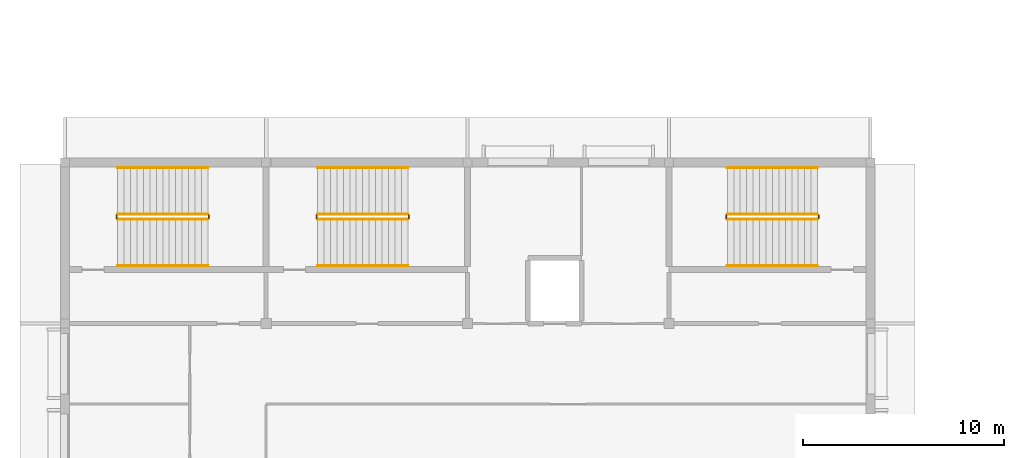
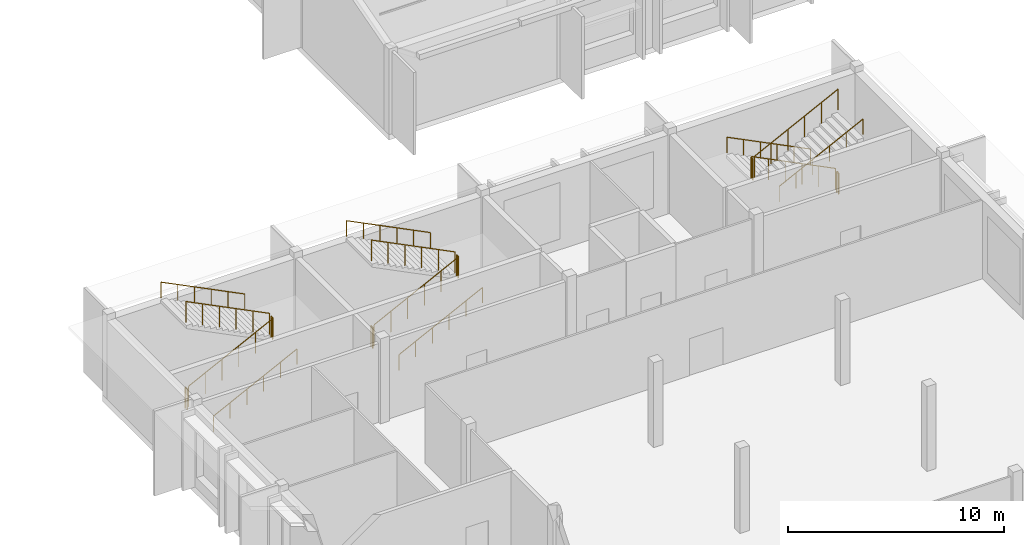
# One storey, part 186 of 196: 18 railings.
"""IFC4 building model written with IfcOpenShell, lengths in metres."""

from ifc_helpers import new_model, si_unit, direction, frame, origin, origin_2d, place, context, subcontext, project, spatial, circle, extrude, material, type_object, element, save


model = new_model("IFC4")

# Units and contexts
model_context = context("Model", 3, precision=1e-05, world=origin(), true_north=direction((0.0, 1.0)))
body_context = subcontext(model_context, "Body", "Model", "MODEL_VIEW")
ifc_project = project(units=[si_unit("LENGTHUNIT", "METRE"), si_unit("AREAUNIT", "SQUARE_METRE"), si_unit("VOLUMEUNIT", "CUBIC_METRE"), si_unit("PLANEANGLEUNIT", "RADIAN"), si_unit("MASSUNIT", "GRAM", prefix="KILO")], contexts=[model_context])

# Site, building, storey
site_placement = place(None, origin())
site = spatial("IfcSite", under=ifc_project, at=site_placement, CompositionType="ELEMENT")
building_placement = place(site_placement, origin())
building = spatial("IfcBuilding", under=site, at=building_placement, Name="Okhra Congress Centre", CompositionType="ELEMENT")
storey_placement = place(building_placement, frame((0.0, 0.0, 12.0)))
storey = spatial("IfcBuildingStorey", under=building, at=storey_placement, Name="L02", CompositionType="ELEMENT", Elevation=12.0)

# Railings
ifc_material_1 = material(Name="Painted steel tube handrail on wall brackets", Category="steel")
railing_type_1 = type_object("IfcRailingType", Name="Steel handrail 900", PredefinedType="HANDRAIL", material=ifc_material_1)
railing_1_placement = place(storey_placement, frame((8.625, 78.875, 0.159912109375)))
element("IfcRailing", 1, at=railing_1_placement, inside=storey, type_object=railing_type_1, Name="L02 R1 stair handrail 1", PredefinedType="HANDRAIL", context=body_context, shape_type="SweptSolid", body=[
    extrude(circle(Radius=0.02392578125, at=origin_2d()), frame((0.0, 0.0, 0.8759765625), z_axis=(0.894427191, 0.0, 0.4472135955), x_axis=(0.0, 1.0, 0.0)), (0.0, 0.0, 1.0), 5.0087890625),
    extrude(circle(Radius=0.02099609375, at=origin_2d()), origin(), (0.0, 0.0, 1.0), 0.851806640625),
    extrude(circle(Radius=0.02099609375, at=origin_2d()), frame((0.89599609375, 0.0, 0.447998046875)), (0.0, 0.0, 1.0), 0.851806640625),
    extrude(circle(Radius=0.02099609375, at=origin_2d()), frame((1.7919921875, 0.0, 0.89599609375)), (0.0, 0.0, 1.0), 0.851806640625),
    extrude(circle(Radius=0.02099609375, at=origin_2d()), frame((2.68798828125, 0.0, 1.343994140625)), (0.0, 0.0, 1.0), 0.851806640625),
    extrude(circle(Radius=0.02099609375, at=origin_2d()), frame((3.583984375, 0.0, 1.7919921875)), (0.0, 0.0, 1.0), 0.851806640625),
    extrude(circle(Radius=0.02099609375, at=origin_2d()), frame((4.47998046875, 0.0, 2.239990234375)), (0.0, 0.0, 1.0), 0.851806640625),
])
railing_2_placement = place(storey_placement, frame((13.10498046875, 83.72509765625, 2.56005859375)))
element("IfcRailing", 2, at=railing_2_placement, inside=storey, type_object=railing_type_1, Name="L02 R1 stair handrail 2", PredefinedType="HANDRAIL", context=body_context, shape_type="SweptSolid", body=[
    extrude(circle(Radius=0.02392578125, at=origin_2d()), frame((0.0, 0.0, 0.8759765625), z_axis=(-0.894427191, 0.0, 0.4472135955), x_axis=(0.0, -1.0, 0.0)), (0.0, 0.0, 1.0), 5.0087890625),
    extrude(circle(Radius=0.02099609375, at=origin_2d()), origin(), (0.0, 0.0, 1.0), 0.851806640625),
    extrude(circle(Radius=0.02099609375, at=origin_2d()), frame((-0.89599609375, 0.0, 0.447998046875)), (0.0, 0.0, 1.0), 0.851806640625),
    extrude(circle(Radius=0.02099609375, at=origin_2d()), frame((-1.7919921875, 0.0, 0.89599609375)), (0.0, 0.0, 1.0), 0.851806640625),
    extrude(circle(Radius=0.02099609375, at=origin_2d()), frame((-2.68798828125, 0.0, 1.343994140625)), (0.0, 0.0, 1.0), 0.851806640625),
    extrude(circle(Radius=0.02099609375, at=origin_2d()), frame((-3.583984375, 0.0, 1.7919921875)), (0.0, 0.0, 1.0), 0.851806640625),
    extrude(circle(Radius=0.02099609375, at=origin_2d()), frame((-4.47998046875, 0.0, 2.239990234375)), (0.0, 0.0, 1.0), 0.851806640625),
])
railing_3_placement = place(storey_placement, frame((18.550048828125, 78.875, 0.159912109375)))
element("IfcRailing", 3, at=railing_3_placement, inside=storey, type_object=railing_type_1, Name="L02 R3 stair handrail 1", PredefinedType="HANDRAIL", context=body_context, shape_type="SweptSolid", body=[
    extrude(circle(Radius=0.02392578125, at=origin_2d()), frame((0.0, 0.0, 0.8759765625), z_axis=(0.894427191, 0.0, 0.4472135955), x_axis=(0.0, 1.0, 0.0)), (0.0, 0.0, 1.0), 5.0087890625),
    extrude(circle(Radius=0.02099609375, at=origin_2d()), origin(), (0.0, 0.0, 1.0), 0.851806640625),
    extrude(circle(Radius=0.02099609375, at=origin_2d()), frame((0.89599609375, 0.0, 0.447998046875)), (0.0, 0.0, 1.0), 0.851806640625),
    extrude(circle(Radius=0.02099609375, at=origin_2d()), frame((1.7919921875, 0.0, 0.89599609375)), (0.0, 0.0, 1.0), 0.851806640625),
    extrude(circle(Radius=0.02099609375, at=origin_2d()), frame((2.68798828125, 0.0, 1.343994140625)), (0.0, 0.0, 1.0), 0.851806640625),
    extrude(circle(Radius=0.02099609375, at=origin_2d()), frame((3.583984375, 0.0, 1.7919921875)), (0.0, 0.0, 1.0), 0.851806640625),
    extrude(circle(Radius=0.02099609375, at=origin_2d()), frame((4.47998046875, 0.0, 2.239990234375)), (0.0, 0.0, 1.0), 0.851806640625),
])
for number, where, name in (
    (4, (23.030029296875, 83.72509765625, 2.56005859375), "L02 R3 stair handrail 2"),
    (5, (43.375, 83.72509765625, 0.159912109375), "L02 R2 stair handrail 1"),
):
    element("IfcRailing", number, at=place(storey_placement, frame(where)), inside=storey, type_object=railing_type_1, Name=name, PredefinedType="HANDRAIL", context=body_context, shape_type="SweptSolid", body=[
        extrude(circle(Radius=0.02392578125, at=origin_2d()), frame((0.0, 0.0, 0.8759765625), z_axis=(-0.894427191, 0.0, 0.4472135955), x_axis=(0.0, -1.0, 0.0)), (0.0, 0.0, 1.0), 5.0087890625),
        extrude(circle(Radius=0.02099609375, at=origin_2d()), origin(), (0.0, 0.0, 1.0), 0.851806640625),
        extrude(circle(Radius=0.02099609375, at=origin_2d()), frame((-0.89599609375, 0.0, 0.447998046875)), (0.0, 0.0, 1.0), 0.851806640625),
        extrude(circle(Radius=0.02099609375, at=origin_2d()), frame((-1.7919921875, 0.0, 0.89599609375)), (0.0, 0.0, 1.0), 0.851806640625),
        extrude(circle(Radius=0.02099609375, at=origin_2d()), frame((-2.68798828125, 0.0, 1.343994140625)), (0.0, 0.0, 1.0), 0.851806640625),
        extrude(circle(Radius=0.02099609375, at=origin_2d()), frame((-3.583984375, 0.0, 1.7919921875)), (0.0, 0.0, 1.0), 0.851806640625),
        extrude(circle(Radius=0.02099609375, at=origin_2d()), frame((-4.47998046875, 0.0, 2.239990234375)), (0.0, 0.0, 1.0), 0.851806640625),
    ])
railing_4_placement = place(storey_placement, frame((38.89501953125, 78.875, 2.56005859375)))
element("IfcRailing", 6, at=railing_4_placement, inside=storey, type_object=railing_type_1, Name="L02 R2 stair handrail 2", PredefinedType="HANDRAIL", context=body_context, shape_type="SweptSolid", body=[
    extrude(circle(Radius=0.02392578125, at=origin_2d()), frame((0.0, 0.0, 0.8759765625), z_axis=(0.894427191, 0.0, 0.4472135955), x_axis=(0.0, 1.0, 0.0)), (0.0, 0.0, 1.0), 5.0087890625),
    extrude(circle(Radius=0.02099609375, at=origin_2d()), origin(), (0.0, 0.0, 1.0), 0.851806640625),
    extrude(circle(Radius=0.02099609375, at=origin_2d()), frame((0.89599609375, 0.0, 0.447998046875)), (0.0, 0.0, 1.0), 0.851806640625),
    extrude(circle(Radius=0.02099609375, at=origin_2d()), frame((1.7919921875, 0.0, 0.89599609375)), (0.0, 0.0, 1.0), 0.851806640625),
    extrude(circle(Radius=0.02099609375, at=origin_2d()), frame((2.68798828125, 0.0, 1.343994140625)), (0.0, 0.0, 1.0), 0.851806640625),
    extrude(circle(Radius=0.02099609375, at=origin_2d()), frame((3.583984375, 0.0, 1.7919921875)), (0.0, 0.0, 1.0), 0.851806640625),
    extrude(circle(Radius=0.02099609375, at=origin_2d()), frame((4.47998046875, 0.0, 2.239990234375)), (0.0, 0.0, 1.0), 0.851806640625),
])
ifc_material_2 = material(Name="Painted steel tube guard with vertical steel balusters", Category="steel")
railing_type_2 = type_object("IfcRailingType", Name="Steel stair guard 1200", PredefinedType="GUARDRAIL", material=ifc_material_2)
railing_5_placement = place(storey_placement, frame((8.625, 81.175048828125, 0.159912109375)))
element("IfcRailing", 7, at=railing_5_placement, inside=storey, type_object=railing_type_2, Name="L02 R1 stair guard 1", PredefinedType="GUARDRAIL", context=body_context, shape_type="SweptSolid", body=[
    extrude(circle(Radius=0.02392578125, at=origin_2d()), frame((0.0, 0.0, 1.17578125), z_axis=(0.894427191, 0.0, 0.4472135955), x_axis=(0.0, 1.0, 0.0)), (0.0, 0.0, 1.0), 5.0087890625),
    extrude(circle(Radius=0.02099609375, at=origin_2d()), origin(), (0.0, 0.0, 1.0), 1.15185546875),
    extrude(circle(Radius=0.02099609375, at=origin_2d()), frame((0.89599609375, 0.0, 0.447998046875)), (0.0, 0.0, 1.0), 1.15185546875),
    extrude(circle(Radius=0.02099609375, at=origin_2d()), frame((1.7919921875, 0.0, 0.89599609375)), (0.0, 0.0, 1.0), 1.15185546875),
    extrude(circle(Radius=0.02099609375, at=origin_2d()), frame((2.68798828125, 0.0, 1.343994140625)), (0.0, 0.0, 1.0), 1.15185546875),
    extrude(circle(Radius=0.02099609375, at=origin_2d()), frame((3.583984375, 0.0, 1.7919921875)), (0.0, 0.0, 1.0), 1.15185546875),
    extrude(circle(Radius=0.02099609375, at=origin_2d()), frame((4.47998046875, 0.0, 2.239990234375)), (0.0, 0.0, 1.0), 1.15185546875),
])
railing_6_placement = place(storey_placement, frame((13.155029296875, 81.22509765625, 2.39990234375)))
element("IfcRailing", 8, at=railing_6_placement, inside=storey, type_object=railing_type_2, Name="L02 R1 stair guard 2", PredefinedType="GUARDRAIL", context=body_context, shape_type="SweptSolid", body=[
    extrude(circle(Radius=0.02392578125, at=origin_2d()), frame((0.0, 0.0, 1.17578125), z_axis=(0.0, 1.0, 0.0), x_axis=(-1.0, 0.0, 0.0)), (0.0, 0.0, 1.0), 0.14990234375),
    extrude(circle(Radius=0.02099609375, at=origin_2d()), origin(), (0.0, 0.0, 1.0), 1.15185546875),
    extrude(circle(Radius=0.02099609375, at=origin_2d()), frame((0.0, 0.14990234375, 0.0)), (0.0, 0.0, 1.0), 1.15185546875),
])
railing_7_placement = place(storey_placement, frame((13.10498046875, 81.425048828125, 2.56005859375)))
element("IfcRailing", 9, at=railing_7_placement, inside=storey, type_object=railing_type_2, Name="L02 R1 stair guard 3", PredefinedType="GUARDRAIL", context=body_context, shape_type="SweptSolid", body=[
    extrude(circle(Radius=0.02392578125, at=origin_2d()), frame((0.0, 0.0, 1.17578125), z_axis=(-0.894427191, 0.0, 0.4472135955), x_axis=(0.0, -1.0, 0.0)), (0.0, 0.0, 1.0), 5.0087890625),
    extrude(circle(Radius=0.02099609375, at=origin_2d()), origin(), (0.0, 0.0, 1.0), 1.15185546875),
    extrude(circle(Radius=0.02099609375, at=origin_2d()), frame((-0.89599609375, 0.0, 0.447998046875)), (0.0, 0.0, 1.0), 1.15185546875),
    extrude(circle(Radius=0.02099609375, at=origin_2d()), frame((-1.7919921875, 0.0, 0.89599609375)), (0.0, 0.0, 1.0), 1.15185546875),
    extrude(circle(Radius=0.02099609375, at=origin_2d()), frame((-2.68798828125, 0.0, 1.343994140625)), (0.0, 0.0, 1.0), 1.15185546875),
    extrude(circle(Radius=0.02099609375, at=origin_2d()), frame((-3.583984375, 0.0, 1.7919921875)), (0.0, 0.0, 1.0), 1.15185546875),
    extrude(circle(Radius=0.02099609375, at=origin_2d()), frame((-4.47998046875, 0.0, 2.239990234375)), (0.0, 0.0, 1.0), 1.15185546875),
])
railing_8_placement = place(storey_placement, frame((8.574951171875, 81.22509765625, 0.0)))
element("IfcRailing", 10, at=railing_8_placement, inside=storey, type_object=railing_type_2, Name="L02 R1 stair guard 4", PredefinedType="GUARDRAIL", context=body_context, shape_type="SweptSolid", body=[
    extrude(circle(Radius=0.02392578125, at=origin_2d()), frame((0.0, 0.0, 1.17578125), z_axis=(0.0, 1.0, 0.0), x_axis=(-1.0, 0.0, 0.0)), (0.0, 0.0, 1.0), 0.14990234375),
    extrude(circle(Radius=0.02099609375, at=origin_2d()), origin(), (0.0, 0.0, 1.0), 1.15185546875),
    extrude(circle(Radius=0.02099609375, at=origin_2d()), frame((0.0, 0.14990234375, 0.0)), (0.0, 0.0, 1.0), 1.15185546875),
])
railing_9_placement = place(storey_placement, frame((18.550048828125, 81.175048828125, 0.159912109375)))
element("IfcRailing", 11, at=railing_9_placement, inside=storey, type_object=railing_type_2, Name="L02 R3 stair guard 1", PredefinedType="GUARDRAIL", context=body_context, shape_type="SweptSolid", body=[
    extrude(circle(Radius=0.02392578125, at=origin_2d()), frame((0.0, 0.0, 1.17578125), z_axis=(0.894427191, 0.0, 0.4472135955), x_axis=(0.0, 1.0, 0.0)), (0.0, 0.0, 1.0), 5.0087890625),
    extrude(circle(Radius=0.02099609375, at=origin_2d()), origin(), (0.0, 0.0, 1.0), 1.15185546875),
    extrude(circle(Radius=0.02099609375, at=origin_2d()), frame((0.89599609375, 0.0, 0.447998046875)), (0.0, 0.0, 1.0), 1.15185546875),
    extrude(circle(Radius=0.02099609375, at=origin_2d()), frame((1.7919921875, 0.0, 0.89599609375)), (0.0, 0.0, 1.0), 1.15185546875),
    extrude(circle(Radius=0.02099609375, at=origin_2d()), frame((2.68798828125, 0.0, 1.343994140625)), (0.0, 0.0, 1.0), 1.15185546875),
    extrude(circle(Radius=0.02099609375, at=origin_2d()), frame((3.583984375, 0.0, 1.7919921875)), (0.0, 0.0, 1.0), 1.15185546875),
    extrude(circle(Radius=0.02099609375, at=origin_2d()), frame((4.47998046875, 0.0, 2.239990234375)), (0.0, 0.0, 1.0), 1.15185546875),
])
railing_10_placement = place(storey_placement, frame((23.080078125, 81.22509765625, 2.39990234375)))
element("IfcRailing", 12, at=railing_10_placement, inside=storey, type_object=railing_type_2, Name="L02 R3 stair guard 2", PredefinedType="GUARDRAIL", context=body_context, shape_type="SweptSolid", body=[
    extrude(circle(Radius=0.02392578125, at=origin_2d()), frame((0.0, 0.0, 1.17578125), z_axis=(0.0, 1.0, 0.0), x_axis=(-1.0, 0.0, 0.0)), (0.0, 0.0, 1.0), 0.14990234375),
    extrude(circle(Radius=0.02099609375, at=origin_2d()), origin(), (0.0, 0.0, 1.0), 1.15185546875),
    extrude(circle(Radius=0.02099609375, at=origin_2d()), frame((0.0, 0.14990234375, 0.0)), (0.0, 0.0, 1.0), 1.15185546875),
])
railing_11_placement = place(storey_placement, frame((23.030029296875, 81.425048828125, 2.56005859375)))
element("IfcRailing", 13, at=railing_11_placement, inside=storey, type_object=railing_type_2, Name="L02 R3 stair guard 3", PredefinedType="GUARDRAIL", context=body_context, shape_type="SweptSolid", body=[
    extrude(circle(Radius=0.02392578125, at=origin_2d()), frame((0.0, 0.0, 1.17578125), z_axis=(-0.894427191, 0.0, 0.4472135955), x_axis=(0.0, -1.0, 0.0)), (0.0, 0.0, 1.0), 5.0087890625),
    extrude(circle(Radius=0.02099609375, at=origin_2d()), origin(), (0.0, 0.0, 1.0), 1.15185546875),
    extrude(circle(Radius=0.02099609375, at=origin_2d()), frame((-0.89599609375, 0.0, 0.447998046875)), (0.0, 0.0, 1.0), 1.15185546875),
    extrude(circle(Radius=0.02099609375, at=origin_2d()), frame((-1.7919921875, 0.0, 0.89599609375)), (0.0, 0.0, 1.0), 1.15185546875),
    extrude(circle(Radius=0.02099609375, at=origin_2d()), frame((-2.68798828125, 0.0, 1.343994140625)), (0.0, 0.0, 1.0), 1.15185546875),
    extrude(circle(Radius=0.02099609375, at=origin_2d()), frame((-3.583984375, 0.0, 1.7919921875)), (0.0, 0.0, 1.0), 1.15185546875),
    extrude(circle(Radius=0.02099609375, at=origin_2d()), frame((-4.47998046875, 0.0, 2.239990234375)), (0.0, 0.0, 1.0), 1.15185546875),
])
railing_12_placement = place(storey_placement, frame((18.5, 81.22509765625, 0.0)))
element("IfcRailing", 14, at=railing_12_placement, inside=storey, type_object=railing_type_2, Name="L02 R3 stair guard 4", PredefinedType="GUARDRAIL", context=body_context, shape_type="SweptSolid", body=[
    extrude(circle(Radius=0.02392578125, at=origin_2d()), frame((0.0, 0.0, 1.17578125), z_axis=(0.0, 1.0, 0.0), x_axis=(-1.0, 0.0, 0.0)), (0.0, 0.0, 1.0), 0.14990234375),
    extrude(circle(Radius=0.02099609375, at=origin_2d()), origin(), (0.0, 0.0, 1.0), 1.15185546875),
    extrude(circle(Radius=0.02099609375, at=origin_2d()), frame((0.0, 0.14990234375, 0.0)), (0.0, 0.0, 1.0), 1.15185546875),
])
railing_13_placement = place(storey_placement, frame((43.375, 81.425048828125, 0.159912109375)))
element("IfcRailing", 15, at=railing_13_placement, inside=storey, type_object=railing_type_2, Name="L02 R2 stair guard 1", PredefinedType="GUARDRAIL", context=body_context, shape_type="SweptSolid", body=[
    extrude(circle(Radius=0.02392578125, at=origin_2d()), frame((0.0, 0.0, 1.17578125), z_axis=(-0.894427191, 0.0, 0.4472135955), x_axis=(0.0, -1.0, 0.0)), (0.0, 0.0, 1.0), 5.0087890625),
    extrude(circle(Radius=0.02099609375, at=origin_2d()), origin(), (0.0, 0.0, 1.0), 1.15185546875),
    extrude(circle(Radius=0.02099609375, at=origin_2d()), frame((-0.89599609375, 0.0, 0.447998046875)), (0.0, 0.0, 1.0), 1.15185546875),
    extrude(circle(Radius=0.02099609375, at=origin_2d()), frame((-1.7919921875, 0.0, 0.89599609375)), (0.0, 0.0, 1.0), 1.15185546875),
    extrude(circle(Radius=0.02099609375, at=origin_2d()), frame((-2.68798828125, 0.0, 1.343994140625)), (0.0, 0.0, 1.0), 1.15185546875),
    extrude(circle(Radius=0.02099609375, at=origin_2d()), frame((-3.583984375, 0.0, 1.7919921875)), (0.0, 0.0, 1.0), 1.15185546875),
    extrude(circle(Radius=0.02099609375, at=origin_2d()), frame((-4.47998046875, 0.0, 2.239990234375)), (0.0, 0.0, 1.0), 1.15185546875),
])
railing_14_placement = place(storey_placement, frame((38.844970703125, 81.375, 2.39990234375)))
element("IfcRailing", 16, at=railing_14_placement, inside=storey, type_object=railing_type_2, Name="L02 R2 stair guard 2", PredefinedType="GUARDRAIL", context=body_context, shape_type="SweptSolid", body=[
    extrude(circle(Radius=0.02392578125, at=origin_2d()), frame((0.0, 0.0, 1.17578125), z_axis=(0.0, -1.0, 0.0), x_axis=(1.0, 0.0, 0.0)), (0.0, 0.0, 1.0), 0.14990234375),
    extrude(circle(Radius=0.02099609375, at=origin_2d()), origin(), (0.0, 0.0, 1.0), 1.15185546875),
    extrude(circle(Radius=0.02099609375, at=origin_2d()), frame((0.0, -0.14990234375, 0.0)), (0.0, 0.0, 1.0), 1.15185546875),
])
railing_15_placement = place(storey_placement, frame((38.89501953125, 81.175048828125, 2.56005859375)))
element("IfcRailing", 17, at=railing_15_placement, inside=storey, type_object=railing_type_2, Name="L02 R2 stair guard 3", PredefinedType="GUARDRAIL", context=body_context, shape_type="SweptSolid", body=[
    extrude(circle(Radius=0.02392578125, at=origin_2d()), frame((0.0, 0.0, 1.17578125), z_axis=(0.894427191, 0.0, 0.4472135955), x_axis=(0.0, 1.0, 0.0)), (0.0, 0.0, 1.0), 5.0087890625),
    extrude(circle(Radius=0.02099609375, at=origin_2d()), origin(), (0.0, 0.0, 1.0), 1.15185546875),
    extrude(circle(Radius=0.02099609375, at=origin_2d()), frame((0.89599609375, 0.0, 0.447998046875)), (0.0, 0.0, 1.0), 1.15185546875),
    extrude(circle(Radius=0.02099609375, at=origin_2d()), frame((1.7919921875, 0.0, 0.89599609375)), (0.0, 0.0, 1.0), 1.15185546875),
    extrude(circle(Radius=0.02099609375, at=origin_2d()), frame((2.68798828125, 0.0, 1.343994140625)), (0.0, 0.0, 1.0), 1.15185546875),
    extrude(circle(Radius=0.02099609375, at=origin_2d()), frame((3.583984375, 0.0, 1.7919921875)), (0.0, 0.0, 1.0), 1.15185546875),
    extrude(circle(Radius=0.02099609375, at=origin_2d()), frame((4.47998046875, 0.0, 2.239990234375)), (0.0, 0.0, 1.0), 1.15185546875),
])
railing_16_placement = place(storey_placement, frame((43.425048828125, 81.375, 0.0)))
element("IfcRailing", 18, at=railing_16_placement, inside=storey, type_object=railing_type_2, Name="L02 R2 stair guard 4", PredefinedType="GUARDRAIL", context=body_context, shape_type="SweptSolid", body=[
    extrude(circle(Radius=0.02392578125, at=origin_2d()), frame((0.0, 0.0, 1.17578125), z_axis=(0.0, -1.0, 0.0), x_axis=(1.0, 0.0, 0.0)), (0.0, 0.0, 1.0), 0.14990234375),
    extrude(circle(Radius=0.02099609375, at=origin_2d()), origin(), (0.0, 0.0, 1.0), 1.15185546875),
    extrude(circle(Radius=0.02099609375, at=origin_2d()), frame((0.0, -0.14990234375, 0.0)), (0.0, 0.0, 1.0), 1.15185546875),
])

save(model, "model.ifc")
